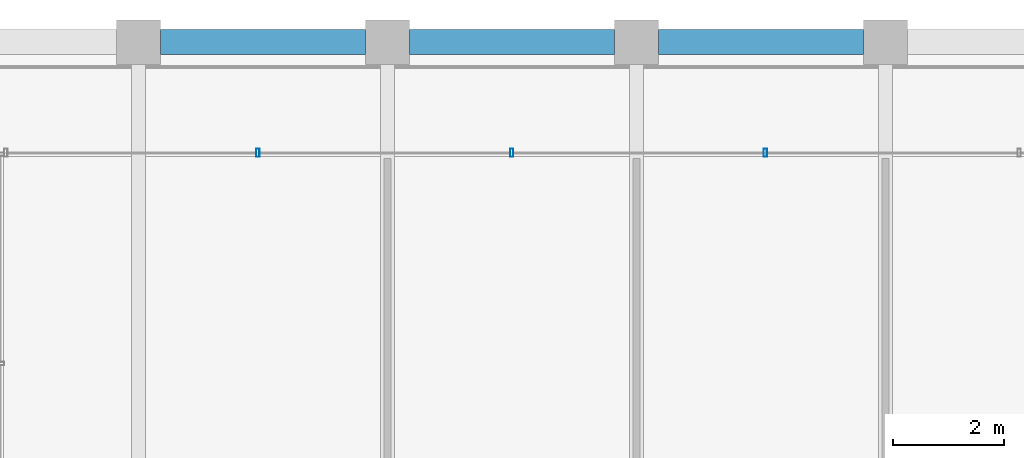
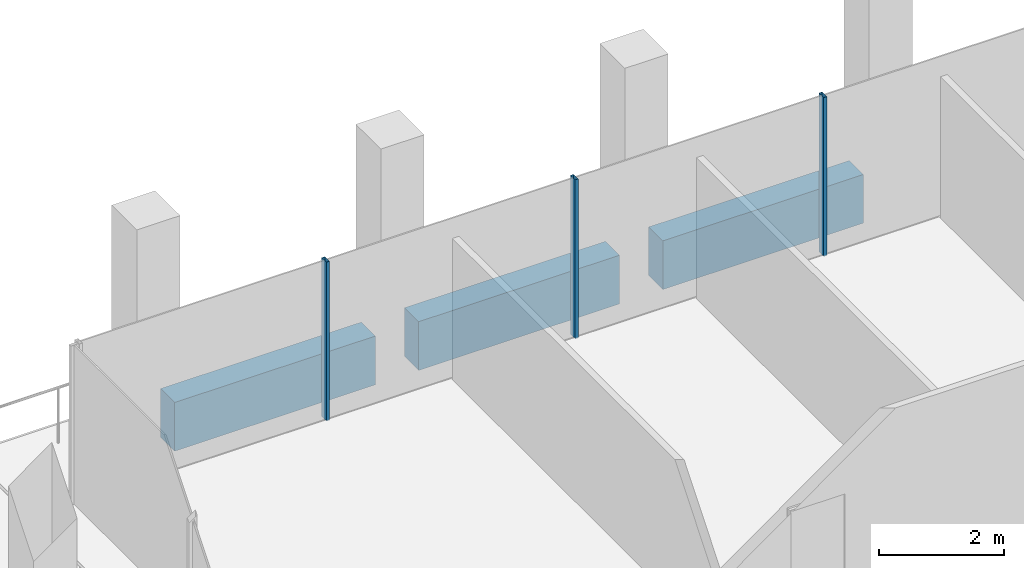
# One storey, part 23 of 30: 3 beams, 3 members, 1 element without a shape of its own.
"""IFC4 building model written with IfcOpenShell, lengths in metres."""

from ifc_helpers import new_model, si_unit, direction, frame, origin, origin_2d, place, context, subcontext, project, spatial, rectangle, hollow_rectangle, extrude, material, material_profile, profile_set, type_object, element, aggregate, save


model = new_model("IFC4")

# Units and contexts
model_context = context("Model", 3, precision=1e-05, world=origin(), true_north=direction((0.0, 1.0)))
body_context = subcontext(model_context, "Body", "Model", "MODEL_VIEW")
ifc_project = project(units=[si_unit("LENGTHUNIT", "METRE"), si_unit("AREAUNIT", "SQUARE_METRE"), si_unit("VOLUMEUNIT", "CUBIC_METRE"), si_unit("PLANEANGLEUNIT", "RADIAN"), si_unit("MASSUNIT", "GRAM", prefix="KILO")], contexts=[model_context])

# Site, building, storey
site_placement = place(None, origin())
site = spatial("IfcSite", under=ifc_project, at=site_placement, CompositionType="ELEMENT")
building_placement = place(site_placement, origin())
building = spatial("IfcBuilding", under=site, at=building_placement, Name="Altepetl Exchange Towers", CompositionType="ELEMENT")
storey_placement = place(building_placement, frame((0.0, 0.0, 213.60009765625)))
storey = spatial("IfcBuildingStorey", under=building, at=storey_placement, Name="L54", CompositionType="ELEMENT", Elevation=213.60009765625)

# Curtain wall, members
ifc_material_1 = material(Name="Aluminium 6063-T6 glazing", Category="aluminium")
curtain_wall_type = type_object("IfcCurtainWallType", Name="Loggia glazing system", PredefinedType="NOTDEFINED", material=ifc_material_1)
curtain_wall_placement = place(storey_placement, origin())
curtain_wall = element("IfcCurtainWall", 1, at=curtain_wall_placement, inside=storey, type_object=curtain_wall_type, Name="CW1 run", PredefinedType="NOTDEFINED")
ifc_material_2 = material(Name="Aluminium 6063-T6", Category="aluminium")
ifc_material_profile_1 = material_profile(ifc_material_2, hollow_rectangle(XDim=0.06005859375, YDim=0.14990234375, WallThickness=0.0029296875, at=origin_2d()), Name="Mullion 60x150 aluminium")
ifc_profile_set_1 = profile_set([ifc_material_profile_1], Name="Aluminium 6063-T6")
member_type = type_object("IfcMemberType", Name="Mullion 60x150 aluminium", PredefinedType="MULLION", material=ifc_profile_set_1)
member_1_placement = place(storey_placement, frame((56.330078125, 70.0, 0.0), z_axis=(0.0, 0.0, 1.0), x_axis=(-1.0, 0.0, 0.0)))
member_1 = element("IfcMember", 2, at=member_1_placement, type_object=member_type, Name="MU1 mullion", PredefinedType="MULLION", context=body_context, shape_type="SweptSolid", body=[
    extrude(hollow_rectangle(XDim=0.06005859375, YDim=0.14990234375, WallThickness=0.0029296875, at=origin_2d()), origin(), (0.0, 0.0, 1.0), 3.099853515625),
])
member_2_placement = place(storey_placement, frame((51.7451171875, 70.0, 0.0), z_axis=(0.0, 0.0, 1.0), x_axis=(-1.0, 0.0, 0.0)))
member_2 = element("IfcMember", 3, at=member_2_placement, type_object=member_type, Name="MU1 mullion", PredefinedType="MULLION", context=body_context, shape_type="SweptSolid", body=[
    extrude(hollow_rectangle(XDim=0.06005859375, YDim=0.14990234375, WallThickness=0.0029296875, at=origin_2d()), origin(), (0.0, 0.0, 1.0), 3.099853515625),
])
member_3_placement = place(storey_placement, frame((47.159912109375, 70.0, 0.0), z_axis=(0.0, 0.0, 1.0), x_axis=(-1.0, 0.0, 0.0)))
member_3 = element("IfcMember", 4, at=member_3_placement, type_object=member_type, Name="MU1 mullion", PredefinedType="MULLION", context=body_context, shape_type="SweptSolid", body=[
    extrude(hollow_rectangle(XDim=0.06005859375, YDim=0.14990234375, WallThickness=0.0029296875, at=origin_2d()), origin(), (0.0, 0.0, 1.0), 3.099853515625),
])
aggregate(curtain_wall, [member_1, member_2, member_3])

# Beams
ifc_material_3 = material(Name="Concrete C50/60 precast with cantera rosa facing", Category="concrete")
ifc_material_profile_2 = material_profile(ifc_material_3, rectangle(XDim=0.449951171875, YDim=0.949951171875, at=origin_2d()), Name="450 x 950")
ifc_profile_set_2 = profile_set([ifc_material_profile_2], Name="Concrete C50/60 precast with cantera rosa facing")
beam_type = type_object("IfcBeamType", Name="Spandrel beam 450x950 cantera rosa", PredefinedType="SPANDREL", material=ifc_profile_set_2)
for number, where, z_axis, x_axis, name in (
    (5, (58.10009765625, 72.0, -0.625), (-1.0, 0.0, 0.0), (0.0, -1.0, 0.0), "sp:A:L54:026"),
    (6, (53.60009765625, 72.0, -0.625), (-1.0, 0.0, 0.0), (0.0, -1.0, 0.0), "sp:A:L54:027"),
    (7, (49.10009765625, 72.0, -0.625), (-1.0, 0.0, 0.0), (0.0, -1.0, 0.0), "sp:A:L54:028"),
):
    element("IfcBeam", number, at=place(storey_placement, frame(where, z_axis=z_axis, x_axis=x_axis)), inside=storey, type_object=beam_type, Name=name, PredefinedType="SPANDREL", context=body_context, shape_type="SweptSolid", body=[
        extrude(rectangle(XDim=0.449951171875, YDim=0.949951171875, at=origin_2d()), origin(), (0.0, 0.0, 1.0), 3.7001953125),
    ])

save(model, "model.ifc")
